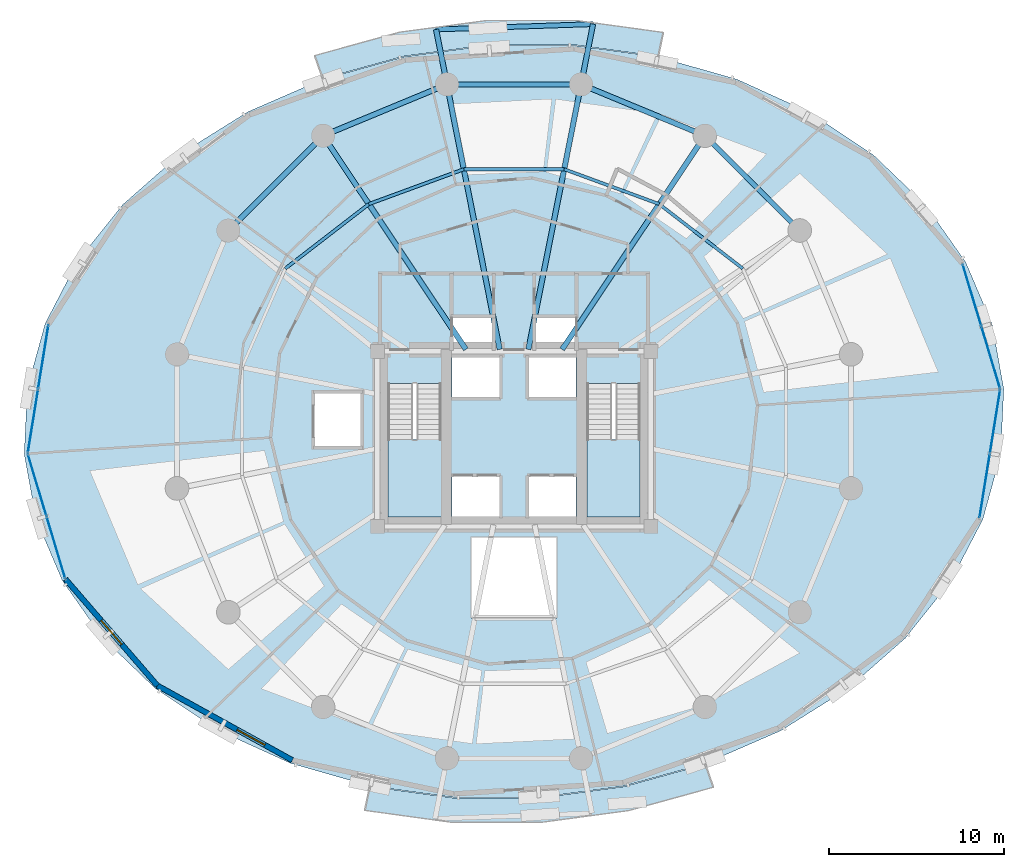
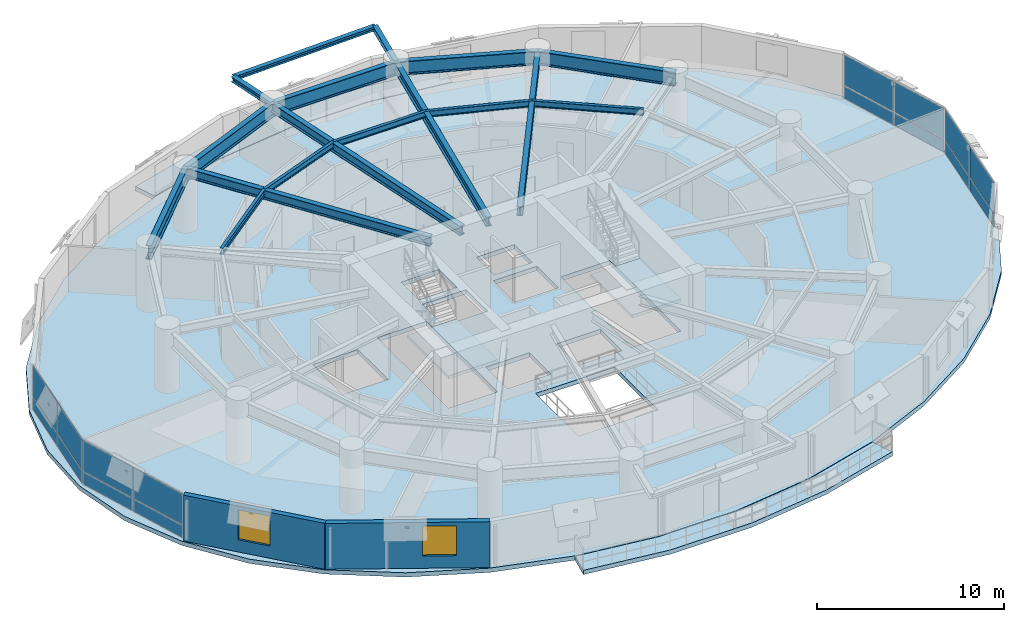
# One storey, part 9 of 16: 17 beams, 16 plates, 5 slabs, 2 walls, 2 windows, 2 openings, 6 elements without a shape of their own.
"""IFC4 building model written with IfcOpenShell, lengths in metres."""

from ifc_helpers import new_model, si_unit, direction, frame, frame_2d, origin, origin_2d, place, context, subcontext, project, spatial, polyline, rectangle, i_section, outline, extrude, material, layer, layer_set, material_profile, profile_set, type_object, element, fill, aggregate, save


model = new_model("IFC4")

# Units and contexts
model_context = context("Model", 3, precision=1e-05, world=origin(), true_north=direction((0.0, 1.0)))
body_context = subcontext(model_context, "Body", "Model", "MODEL_VIEW")
ifc_project = project(units=[si_unit("LENGTHUNIT", "METRE"), si_unit("AREAUNIT", "SQUARE_METRE"), si_unit("VOLUMEUNIT", "CUBIC_METRE"), si_unit("PLANEANGLEUNIT", "RADIAN"), si_unit("MASSUNIT", "GRAM", prefix="KILO"), si_unit("THERMODYNAMICTEMPERATUREUNIT", "KELVIN"), si_unit("POWERUNIT", "WATT")], contexts=[model_context])

# Site, building, storey
site_placement = place(None, origin())
site = spatial("IfcSite", under=ifc_project, at=site_placement, CompositionType="ELEMENT")
building_placement = place(site_placement, origin())
building = spatial("IfcBuilding", under=site, at=building_placement, Name="Ocrelia Relay Tower", CompositionType="ELEMENT")
storey_placement = place(building_placement, frame((0.0, 0.0, 46.800048828125)))
storey = spatial("IfcBuildingStorey", under=building, at=storey_placement, Name="L10", CompositionType="ELEMENT", Elevation=46.800048828125)

# Beams
ifc_material_1 = material(Name="Steel S355", Category="steel")
ifc_material_profile_1 = material_profile(ifc_material_1, i_section(OverallWidth=0.280029296875, OverallDepth=0.27001953125, WebThickness=0.008056640625, FlangeThickness=0.012939453125, FilletRadius=0.02392578125, at=origin_2d()), Name="HEA 280")
ifc_profile_set_1 = profile_set([ifc_material_profile_1], Name="Steel S355")
beam_type_1 = type_object("IfcBeamType", Name="BM-HEA280", PredefinedType="BEAM", material=ifc_profile_set_1)
beam_1_placement = place(storey_placement, frame((38.5078125, 48.66259765625, 3.784912109375), z_axis=(-0.999422643132, -0.033976173932, 0.0), x_axis=(0.033976173932, -0.999422643132, 0.0)))
element("IfcBeam", 1, at=beam_1_placement, inside=storey, type_object=beam_type_1, Name="L11 Balcony Edge Trimmer Beam B1", PredefinedType="BEAM", context=body_context, shape_type="SweptSolid", body=[
    extrude(i_section(OverallWidth=0.280029296875, OverallDepth=0.27001953125, WebThickness=0.008056640625, FlangeThickness=0.012939453125, FilletRadius=0.02392578125, at=origin_2d()), origin(), (0.0, 0.0, 1.0), 8.96044921875),
])
ifc_material_profile_2 = material_profile(ifc_material_1, i_section(OverallWidth=0.300048828125, OverallDepth=0.330078125, WebThickness=0.009521484375, FlangeThickness=0.0166015625, FilletRadius=0.027099609375, at=origin_2d()), Name="HEA 340")
ifc_profile_set_2 = profile_set([ifc_material_profile_2], Name="Steel S355")
beam_type_2 = type_object("IfcBeamType", Name="BM-HEA340", PredefinedType="BEAM", material=ifc_profile_set_2)
beam_2_placement = place(storey_placement, frame((37.82373046875, 45.223388671875, 3.7548828125), z_axis=(0.195085063293, 0.980786326414, 0.0), x_axis=(-0.980786326414, 0.195085063293, 0.0)))
element("IfcBeam", 2, at=beam_2_placement, inside=storey, type_object=beam_type_2, Name="L11 Balcony Cantilever Beam B1-1", PredefinedType="BEAM", context=body_context, shape_type="SweptSolid", body=[
    extrude(i_section(OverallWidth=0.300048828125, OverallDepth=0.330078125, WebThickness=0.009521484375, FlangeThickness=0.0166015625, FilletRadius=0.027099609375, at=origin_2d()), origin(), (0.0, 0.0, 1.0), 3.506591796875),
])
beam_3_placement = place(storey_placement, frame((30.17626953125, 45.223388671875, 3.7548828125), z_axis=(-0.195161241574, 0.980771170961, 0.0), x_axis=(-0.980771170961, -0.195161241574, 0.0)))
element("IfcBeam", 3, at=beam_3_placement, inside=storey, type_object=beam_type_2, Name="L11 Balcony Cantilever Beam B1-2", PredefinedType="BEAM", context=body_context, shape_type="SweptSolid", body=[
    extrude(i_section(OverallWidth=0.300048828125, OverallDepth=0.330078125, WebThickness=0.009521484375, FlangeThickness=0.0166015625, FilletRadius=0.027099609375, at=origin_2d()), origin(), (0.0, 0.0, 1.0), 3.1962890625),
])
ifc_material_profile_3 = material_profile(ifc_material_1, i_section(OverallWidth=0.300048828125, OverallDepth=0.60009765625, WebThickness=0.015380859375, FlangeThickness=0.030029296875, FilletRadius=0.027099609375, at=origin_2d()), Name="HEB 600")
ifc_profile_set_3 = profile_set([ifc_material_profile_3], Name="Steel S355")
beam_type_3 = type_object("IfcBeamType", Name="BM-HEB600", PredefinedType="BEAM", material=ifc_profile_set_3)
beam_4_placement = place(storey_placement, frame((44.88916015625, 42.296875, 3.619873046875), z_axis=(-0.555564422059, -0.831473495033, 0.0), x_axis=(0.831473495033, -0.555564422059, 0.0)))
element("IfcBeam", 4, at=beam_4_placement, inside=storey, type_object=beam_type_3, Name="L10 Radial Floor Girder R03", PredefinedType="BEAM", context=body_context, shape_type="SweptSolid", body=[
    extrude(i_section(OverallWidth=0.300048828125, OverallDepth=0.60009765625, WebThickness=0.015380859375, FlangeThickness=0.030029296875, FilletRadius=0.027099609375, at=origin_2d()), origin(), (0.0, 0.0, 1.0), 14.6630859375),
])
for number, where, z_axis, x_axis, name in (
    (5, (37.82373046875, 45.223388671875, 3.619873046875), (-0.19509567956, -0.980784214706, 0.0), (0.980784214706, -0.19509567956, 0.0), "L10 Radial Floor Girder R04"),
    (6, (30.17626953125, 45.223388671875, 3.619873046875), (0.19509567956, -0.980784214706, 0.0), (0.980784214706, 0.19509567956, 0.0), "L10 Radial Floor Girder R05"),
):
    element("IfcBeam", number, at=place(storey_placement, frame(where, z_axis=z_axis, x_axis=x_axis)), inside=storey, type_object=beam_type_3, Name=name, PredefinedType="BEAM", context=body_context, shape_type="SweptSolid", body=[
        extrude(i_section(OverallWidth=0.300048828125, OverallDepth=0.60009765625, WebThickness=0.015380859375, FlangeThickness=0.030029296875, FilletRadius=0.027099609375, at=origin_2d()), origin(), (0.0, 0.0, 1.0), 15.41455078125),
    ])
beam_5_placement = place(storey_placement, frame((23.11083984375, 42.296875, 3.619873046875), z_axis=(0.555564422059, -0.831473495033, 0.0), x_axis=(0.831473495033, 0.555564422059, 0.0)))
element("IfcBeam", 7, at=beam_5_placement, inside=storey, type_object=beam_type_3, Name="L10 Radial Floor Girder R06", PredefinedType="BEAM", context=body_context, shape_type="SweptSolid", body=[
    extrude(i_section(OverallWidth=0.300048828125, OverallDepth=0.60009765625, WebThickness=0.015380859375, FlangeThickness=0.030029296875, FilletRadius=0.027099609375, at=origin_2d()), origin(), (0.0, 0.0, 1.0), 14.6630859375),
])
ifc_material_profile_4 = material_profile(ifc_material_1, i_section(OverallWidth=0.300048828125, OverallDepth=0.89990234375, WebThickness=0.0185546875, FlangeThickness=0.034912109375, FilletRadius=0.030029296875, at=origin_2d()), Name="HEB 900")
ifc_profile_set_4 = profile_set([ifc_material_profile_4], Name="Steel S355")
beam_type_4 = type_object("IfcBeamType", Name="BM-HEB900", PredefinedType="BEAM", material=ifc_profile_set_4)
beam_6_placement = place(storey_placement, frame((50.296875, 36.88916015625, 3.469970703125), z_axis=(-0.707106781187, 0.707106781187, 0.0), x_axis=(-0.707106781187, -0.707106781187, 0.0)))
element("IfcBeam", 8, at=beam_6_placement, inside=storey, type_object=beam_type_4, Name="L10 Perimeter Spandrel Beam S02", PredefinedType="BEAM", context=body_context, shape_type="SweptSolid", body=[
    extrude(i_section(OverallWidth=0.300048828125, OverallDepth=0.89990234375, WebThickness=0.0185546875, FlangeThickness=0.034912109375, FilletRadius=0.030029296875, at=origin_2d()), origin(), (0.0, 0.0, 1.0), 7.647705078125),
])
for number, where, z_axis, x_axis, name in (
    (9, (44.88916015625, 42.296875, 3.469970703125), (-0.923883375589, 0.382674154222, 0.0), (-0.382674154222, -0.923883375589, 0.0), "L10 Perimeter Spandrel Beam S03"),
    (10, (37.82373046875, 45.223388671875, 3.469970703125), (-1.0, 0.0, 0.0), (0.0, -1.0, 0.0), "L10 Perimeter Spandrel Beam S04"),
    (11, (30.17626953125, 45.223388671875, 3.469970703125), (-0.923883375589, -0.382674154222, 0.0), (0.382674154222, -0.923883375589, 0.0), "L10 Perimeter Spandrel Beam S05"),
):
    element("IfcBeam", number, at=place(storey_placement, frame(where, z_axis=z_axis, x_axis=x_axis)), inside=storey, type_object=beam_type_4, Name=name, PredefinedType="BEAM", context=body_context, shape_type="SweptSolid", body=[
        extrude(i_section(OverallWidth=0.300048828125, OverallDepth=0.89990234375, WebThickness=0.0185546875, FlangeThickness=0.034912109375, FilletRadius=0.030029296875, at=origin_2d()), origin(), (0.0, 0.0, 1.0), 7.6474609375),
    ])
beam_7_placement = place(storey_placement, frame((23.11083984375, 42.296875, 3.469970703125), z_axis=(-0.707106781187, -0.707106781187, 0.0), x_axis=(0.707106781187, -0.707106781187, 0.0)))
element("IfcBeam", 12, at=beam_7_placement, inside=storey, type_object=beam_type_4, Name="L10 Perimeter Spandrel Beam S06", PredefinedType="BEAM", context=body_context, shape_type="SweptSolid", body=[
    extrude(i_section(OverallWidth=0.300048828125, OverallDepth=0.89990234375, WebThickness=0.0185546875, FlangeThickness=0.034912109375, FilletRadius=0.030029296875, at=origin_2d()), origin(), (0.0, 0.0, 1.0), 7.647705078125),
])
ifc_material_profile_5 = material_profile(ifc_material_1, i_section(OverallWidth=0.179931640625, OverallDepth=0.39990234375, WebThickness=0.008544921875, FlangeThickness=0.013427734375, FilletRadius=0.02099609375, at=origin_2d()), Name="IPE 400")
ifc_profile_set_5 = profile_set([ifc_material_profile_5], Name="Steel S355")
beam_type_5 = type_object("IfcBeamType", Name="BM-IPE400", PredefinedType="JOIST", material=ifc_profile_set_5)
beam_8_placement = place(storey_placement, frame((47.0478515625, 34.71826171875, 3.719970703125), z_axis=(-0.791694256239, 0.610917510502, 0.0), x_axis=(-0.610917510502, -0.791694256239, 0.0)))
element("IfcBeam", 13, at=beam_8_placement, inside=storey, type_object=beam_type_5, Name="L10 Secondary Floor Joist J02", PredefinedType="JOIST", context=body_context, shape_type="SweptSolid", body=[
    extrude(i_section(OverallWidth=0.179931640625, OverallDepth=0.39990234375, WebThickness=0.008544921875, FlangeThickness=0.013427734375, FilletRadius=0.02099609375, at=origin_2d()), origin(), (0.0, 0.0, 1.0), 6.019287109375),
])
beam_9_placement = place(storey_placement, frame((42.282470703125, 38.3955078125, 3.719970703125), z_axis=(-0.938745977034, 0.344609910773, 0.0), x_axis=(-0.344609910773, -0.938745977034, 0.0)))
element("IfcBeam", 14, at=beam_9_placement, inside=storey, type_object=beam_type_5, Name="L10 Secondary Floor Joist J03", PredefinedType="JOIST", context=body_context, shape_type="SweptSolid", body=[
    extrude(i_section(OverallWidth=0.179931640625, OverallDepth=0.39990234375, WebThickness=0.008544921875, FlangeThickness=0.013427734375, FilletRadius=0.02099609375, at=origin_2d()), origin(), (0.0, 0.0, 1.0), 5.774658203125),
])
beam_10_placement = place(storey_placement, frame((36.861572265625, 40.385498046875, 3.719970703125), z_axis=(-1.0, 0.0, 0.0), x_axis=(0.0, -1.0, 0.0)))
element("IfcBeam", 15, at=beam_10_placement, inside=storey, type_object=beam_type_5, Name="L10 Secondary Floor Joist J04", PredefinedType="JOIST", context=body_context, shape_type="SweptSolid", body=[
    extrude(i_section(OverallWidth=0.179931640625, OverallDepth=0.39990234375, WebThickness=0.008544921875, FlangeThickness=0.013427734375, FilletRadius=0.02099609375, at=origin_2d()), origin(), (0.0, 0.0, 1.0), 5.72314453125),
])
beam_11_placement = place(storey_placement, frame((31.138427734375, 40.385498046875, 3.719970703125), z_axis=(-0.938745977034, -0.344609910773, 0.0), x_axis=(0.344609910773, -0.938745977034, 0.0)))
element("IfcBeam", 16, at=beam_11_placement, inside=storey, type_object=beam_type_5, Name="L10 Secondary Floor Joist J05", PredefinedType="JOIST", context=body_context, shape_type="SweptSolid", body=[
    extrude(i_section(OverallWidth=0.179931640625, OverallDepth=0.39990234375, WebThickness=0.008544921875, FlangeThickness=0.013427734375, FilletRadius=0.02099609375, at=origin_2d()), origin(), (0.0, 0.0, 1.0), 5.774658203125),
])
beam_12_placement = place(storey_placement, frame((25.717529296875, 38.3955078125, 3.719970703125), z_axis=(-0.791694256239, -0.610917510502, 0.0), x_axis=(0.610917510502, -0.791694256239, 0.0)))
element("IfcBeam", 17, at=beam_12_placement, inside=storey, type_object=beam_type_5, Name="L10 Secondary Floor Joist J06", PredefinedType="JOIST", context=body_context, shape_type="SweptSolid", body=[
    extrude(i_section(OverallWidth=0.179931640625, OverallDepth=0.39990234375, WebThickness=0.008544921875, FlangeThickness=0.013427734375, FilletRadius=0.02099609375, at=origin_2d()), origin(), (0.0, 0.0, 1.0), 6.019287109375),
])

# Curtain wall, plates
ifc_material_2 = material(Name="Aluminium and solar-control low-E glass", Category="aluminium")
ifc_layer_1 = layer(ifc_material_2, 0.179931640625, Name="Aluminium and solar-control low-E glass")
ifc_layer_set_1 = layer_set([ifc_layer_1], Name="Aluminium and solar-control low-E glass")
curtain_wall_type = type_object("IfcCurtainWallType", Name="CW-SYS-Z1-DATA", PredefinedType="NOTDEFINED", material=ifc_layer_set_1)
curtain_wall_1_placement = place(storey_placement, origin())
curtain_wall_1 = element("IfcCurtainWall", 18, at=curtain_wall_1_placement, inside=storey, type_object=curtain_wall_type, Name="L10 Elliptical Tower Curtain Wall Bay 01", PredefinedType="NOTDEFINED")
ifc_material_3 = material(Name="Clear double-glazed low-E glass", Category="glass")
ifc_layer_2 = layer(ifc_material_3, 0.031982421875, Name="Clear double-glazed low-E glass")
ifc_layer_set_2 = layer_set([ifc_layer_2], Name="Clear double-glazed low-E glass")
plate_type = type_object("IfcPlateType", Name="CW-SYS-Z1-DATA-PNL", PredefinedType="CURTAIN_PANEL", material=ifc_layer_set_2)
plate_1_placement = place(storey_placement, frame((61.19482421875, 29.648681640625, 0.06494140625), z_axis=(0.0, 0.0, 1.0), x_axis=(-0.288370026457, 0.957519048291, 0.0)))
plate_1 = element("IfcPlate", 19, at=plate_1_placement, type_object=plate_type, Name="CW-Z1 panel 1.1", PredefinedType="CURTAIN_PANEL", context=body_context, shape_type="SweptSolid", body=[
    extrude(rectangle(XDim=3.6328125, YDim=0.031982421875, at=origin_2d()), origin(), (0.0, 0.0, 1.0), 0.802490234375),
])
plate_2_placement = place(storey_placement, frame((61.19482421875, 29.648681640625, 0.932373046875), z_axis=(0.0, 0.0, 1.0), x_axis=(-0.288370026457, 0.957519048291, 0.0)))
plate_2 = element("IfcPlate", 20, at=plate_2_placement, type_object=plate_type, Name="CW-Z1 panel 1.2", PredefinedType="CURTAIN_PANEL", context=body_context, shape_type="SweptSolid", body=[
    extrude(rectangle(XDim=3.6328125, YDim=0.031982421875, at=origin_2d()), origin(), (0.0, 0.0, 1.0), 2.00244140625),
])
plate_3_placement = place(storey_placement, frame((60.127197265625, 33.194091796875, 0.06494140625), z_axis=(0.0, 0.0, 1.0), x_axis=(-0.288370026457, 0.957519048291, 0.0)))
plate_3 = element("IfcPlate", 21, at=plate_3_placement, type_object=plate_type, Name="CW-Z1 panel 2.1", PredefinedType="CURTAIN_PANEL", context=body_context, shape_type="SweptSolid", body=[
    extrude(rectangle(XDim=3.6328125, YDim=0.031982421875, at=origin_2d()), origin(), (0.0, 0.0, 1.0), 0.802490234375),
])
plate_4_placement = place(storey_placement, frame((60.127197265625, 33.194091796875, 0.932373046875), z_axis=(0.0, 0.0, 1.0), x_axis=(-0.288370026457, 0.957519048291, 0.0)))
plate_4 = element("IfcPlate", 22, at=plate_4_placement, type_object=plate_type, Name="CW-Z1 panel 2.2", PredefinedType="CURTAIN_PANEL", context=body_context, shape_type="SweptSolid", body=[
    extrude(rectangle(XDim=3.6328125, YDim=0.031982421875, at=origin_2d()), origin(), (0.0, 0.0, 1.0), 2.00244140625),
])
aggregate(curtain_wall_1, [plate_1, plate_2, plate_3, plate_4])

curtain_wall_2_placement = place(storey_placement, origin())
curtain_wall_2 = element("IfcCurtainWall", 23, at=curtain_wall_2_placement, inside=storey, type_object=curtain_wall_type, Name="L10 Elliptical Tower Curtain Wall Bay 09", PredefinedType="NOTDEFINED")
plate_5_placement = place(storey_placement, frame((7.15087890625, 29.67529296875, 0.06494140625), z_axis=(0.0, 0.0, 1.0), x_axis=(-0.159201315878, -0.987246140039, 0.0)))
plate_5 = element("IfcPlate", 24, at=plate_5_placement, type_object=plate_type, Name="CW-Z1 panel 1.1", PredefinedType="CURTAIN_PANEL", context=body_context, shape_type="SweptSolid", body=[
    extrude(rectangle(XDim=3.6328125, YDim=0.031982421875, at=origin_2d()), origin(), (0.0, 0.0, 1.0), 0.802490234375),
])
plate_6_placement = place(storey_placement, frame((7.15087890625, 29.67529296875, 0.932373046875), z_axis=(0.0, 0.0, 1.0), x_axis=(-0.159201315878, -0.987246140039, 0.0)))
plate_6 = element("IfcPlate", 25, at=plate_6_placement, type_object=plate_type, Name="CW-Z1 panel 1.2", PredefinedType="CURTAIN_PANEL", context=body_context, shape_type="SweptSolid", body=[
    extrude(rectangle(XDim=3.6328125, YDim=0.031982421875, at=origin_2d()), origin(), (0.0, 0.0, 1.0), 2.00244140625),
])
plate_7_placement = place(storey_placement, frame((6.5615234375, 26.02001953125, 0.06494140625), z_axis=(0.0, 0.0, 1.0), x_axis=(-0.159201315878, -0.987246140039, 0.0)))
plate_7 = element("IfcPlate", 26, at=plate_7_placement, type_object=plate_type, Name="CW-Z1 panel 2.1", PredefinedType="CURTAIN_PANEL", context=body_context, shape_type="SweptSolid", body=[
    extrude(rectangle(XDim=3.6328125, YDim=0.031982421875, at=origin_2d()), origin(), (0.0, 0.0, 1.0), 0.802490234375),
])
plate_8_placement = place(storey_placement, frame((6.5615234375, 26.02001953125, 0.932373046875), z_axis=(0.0, 0.0, 1.0), x_axis=(-0.159201315878, -0.987246140039, 0.0)))
plate_8 = element("IfcPlate", 27, at=plate_8_placement, type_object=plate_type, Name="CW-Z1 panel 2.2", PredefinedType="CURTAIN_PANEL", context=body_context, shape_type="SweptSolid", body=[
    extrude(rectangle(XDim=3.6328125, YDim=0.031982421875, at=origin_2d()), origin(), (0.0, 0.0, 1.0), 2.00244140625),
])
aggregate(curtain_wall_2, [plate_5, plate_6, plate_7, plate_8])

curtain_wall_3_placement = place(storey_placement, origin())
curtain_wall_3 = element("IfcCurtainWall", 28, at=curtain_wall_3_placement, inside=storey, type_object=curtain_wall_type, Name="L10 Elliptical Tower Curtain Wall Bay 10", PredefinedType="NOTDEFINED")
plate_9_placement = place(storey_placement, frame((6.80517578125, 22.351318359375, 0.06494140625), z_axis=(0.0, 0.0, 1.0), x_axis=(0.288370026457, -0.957519048291, 0.0)))
plate_9 = element("IfcPlate", 29, at=plate_9_placement, type_object=plate_type, Name="CW-Z1 panel 1.1", PredefinedType="CURTAIN_PANEL", context=body_context, shape_type="SweptSolid", body=[
    extrude(rectangle(XDim=3.6328125, YDim=0.031982421875, at=origin_2d()), origin(), (0.0, 0.0, 1.0), 0.802490234375),
])
plate_10_placement = place(storey_placement, frame((6.80517578125, 22.351318359375, 0.932373046875), z_axis=(0.0, 0.0, 1.0), x_axis=(0.288370026457, -0.957519048291, 0.0)))
plate_10 = element("IfcPlate", 30, at=plate_10_placement, type_object=plate_type, Name="CW-Z1 panel 1.2", PredefinedType="CURTAIN_PANEL", context=body_context, shape_type="SweptSolid", body=[
    extrude(rectangle(XDim=3.6328125, YDim=0.031982421875, at=origin_2d()), origin(), (0.0, 0.0, 1.0), 2.00244140625),
])
plate_11_placement = place(storey_placement, frame((7.872802734375, 18.805908203125, 0.06494140625), z_axis=(0.0, 0.0, 1.0), x_axis=(0.288370026457, -0.957519048291, 0.0)))
plate_11 = element("IfcPlate", 31, at=plate_11_placement, type_object=plate_type, Name="CW-Z1 panel 2.1", PredefinedType="CURTAIN_PANEL", context=body_context, shape_type="SweptSolid", body=[
    extrude(rectangle(XDim=3.6328125, YDim=0.031982421875, at=origin_2d()), origin(), (0.0, 0.0, 1.0), 0.802490234375),
])
plate_12_placement = place(storey_placement, frame((7.872802734375, 18.805908203125, 0.932373046875), z_axis=(0.0, 0.0, 1.0), x_axis=(0.288370026457, -0.957519048291, 0.0)))
plate_12 = element("IfcPlate", 32, at=plate_12_placement, type_object=plate_type, Name="CW-Z1 panel 2.2", PredefinedType="CURTAIN_PANEL", context=body_context, shape_type="SweptSolid", body=[
    extrude(rectangle(XDim=3.6328125, YDim=0.031982421875, at=origin_2d()), origin(), (0.0, 0.0, 1.0), 2.00244140625),
])
aggregate(curtain_wall_3, [plate_9, plate_10, plate_11, plate_12])

curtain_wall_4_placement = place(storey_placement, origin())
curtain_wall_4 = element("IfcCurtainWall", 33, at=curtain_wall_4_placement, inside=storey, type_object=curtain_wall_type, Name="L10 Elliptical Tower Curtain Wall Bay 18", PredefinedType="NOTDEFINED")
plate_13_placement = place(storey_placement, frame((60.84912109375, 22.32470703125, 0.06494140625), z_axis=(0.0, 0.0, 1.0), x_axis=(0.159201315878, 0.987246140039, 0.0)))
plate_13 = element("IfcPlate", 34, at=plate_13_placement, type_object=plate_type, Name="CW-Z1 panel 1.1", PredefinedType="CURTAIN_PANEL", context=body_context, shape_type="SweptSolid", body=[
    extrude(rectangle(XDim=3.6328125, YDim=0.031982421875, at=origin_2d()), origin(), (0.0, 0.0, 1.0), 0.802490234375),
])
plate_14_placement = place(storey_placement, frame((60.84912109375, 22.32470703125, 0.932373046875), z_axis=(0.0, 0.0, 1.0), x_axis=(0.159201315878, 0.987246140039, 0.0)))
plate_14 = element("IfcPlate", 35, at=plate_14_placement, type_object=plate_type, Name="CW-Z1 panel 1.2", PredefinedType="CURTAIN_PANEL", context=body_context, shape_type="SweptSolid", body=[
    extrude(rectangle(XDim=3.6328125, YDim=0.031982421875, at=origin_2d()), origin(), (0.0, 0.0, 1.0), 2.00244140625),
])
plate_15_placement = place(storey_placement, frame((61.4384765625, 25.97998046875, 0.06494140625), z_axis=(0.0, 0.0, 1.0), x_axis=(0.159201315878, 0.987246140039, 0.0)))
plate_15 = element("IfcPlate", 36, at=plate_15_placement, type_object=plate_type, Name="CW-Z1 panel 2.1", PredefinedType="CURTAIN_PANEL", context=body_context, shape_type="SweptSolid", body=[
    extrude(rectangle(XDim=3.6328125, YDim=0.031982421875, at=origin_2d()), origin(), (0.0, 0.0, 1.0), 0.802490234375),
])
plate_16_placement = place(storey_placement, frame((61.4384765625, 25.97998046875, 0.932373046875), z_axis=(0.0, 0.0, 1.0), x_axis=(0.159201315878, 0.987246140039, 0.0)))
plate_16 = element("IfcPlate", 37, at=plate_16_placement, type_object=plate_type, Name="CW-Z1 panel 2.2", PredefinedType="CURTAIN_PANEL", context=body_context, shape_type="SweptSolid", body=[
    extrude(rectangle(XDim=3.6328125, YDim=0.031982421875, at=origin_2d()), origin(), (0.0, 0.0, 1.0), 2.00244140625),
])
aggregate(curtain_wall_4, [plate_13, plate_14, plate_15, plate_16])

# Slabs
ifc_material_4 = material(Name="Precast concrete C40/50", Category="concrete")
ifc_layer_3 = layer(ifc_material_4, 0.280029296875, Name="Precast concrete C40/50")
ifc_layer_set_3 = layer_set([ifc_layer_3], Name="Precast concrete C40/50")
slab_type_1 = type_object("IfcSlabType", Name="SL-BALC-280", PredefinedType="FLOOR", material=ifc_layer_set_3)
slab_1_placement = place(storey_placement, frame((0.0, 0.0, -0.280029296875)))
element("IfcSlab", 38, at=slab_1_placement, inside=storey, type_object=slab_type_1, Name="L10 Planted Loggia Balcony B1", PredefinedType="FLOOR", context=body_context, shape_type="SweptSolid", body=[
    extrude(outline(polyline([(42.222900390625, 46.822998046875), (39.836669921875, 47.15087890625), (37.4501953125, 47.47900390625), (32.572998046875, 47.482666015625), (27.7392578125, 46.833984375), (25.41748046875, 46.193359375), (23.095458984375, 45.552734375), (22.631103515625, 46.866455078125), (25.0458984375, 47.53271484375), (27.460693359375, 48.19921875), (32.480712890625, 48.872802734375), (37.5458984375, 48.868896484375), (40.027587890625, 48.52783203125), (42.50927734375, 48.186767578125), (42.222900390625, 46.822998046875)])), origin(), (0.0, 0.0, 1.0), 0.280029296875),
])
slab_2_placement = place(storey_placement, frame((0.0, 0.0, -0.280029296875)))
element("IfcSlab", 39, at=slab_2_placement, inside=storey, type_object=slab_type_1, Name="L10 Planted Loggia Balcony B2", PredefinedType="FLOOR", context=body_context, shape_type="SweptSolid", body=[
    extrude(outline(polyline([(25.777099609375, 5.177001953125), (28.16357421875, 4.84912109375), (30.5498046875, 4.52099609375), (35.427001953125, 4.517333984375), (40.2607421875, 5.166015625), (42.58251953125, 5.806640625), (44.904541015625, 6.447265625), (45.368896484375, 5.133544921875), (42.9541015625, 4.46728515625), (40.539306640625, 3.80078125), (35.519287109375, 3.127197265625), (30.4541015625, 3.131103515625), (27.972412109375, 3.47216796875), (25.49072265625, 3.813232421875), (25.777099609375, 5.177001953125)])), origin(), (0.0, 0.0, 1.0), 0.280029296875),
])
ifc_material_5 = material(Name="Concrete C50/60", Category="concrete")
ifc_layer_4 = layer(ifc_material_5, 0.280029296875, Name="Concrete C50/60")
ifc_layer_set_4 = layer_set([ifc_layer_4], Name="Concrete C50/60")
slab_type_2 = type_object("IfcSlabType", Name="SL-FLR-280", PredefinedType="FLOOR", material=ifc_layer_set_4)
slab_3_placement = place(storey_placement, frame((0.0, 0.0, -0.280029296875)))
element("IfcSlab", 40, at=slab_3_placement, inside=storey, type_object=slab_type_2, Name="L10 Elliptical Tower Floor Slab", PredefinedType="FLOOR", context=body_context, shape_type="SweptSolid", body=[
    extrude(outline(polyline([(61.9384765625, 27.855712890625), (61.2666015625, 31.552734375), (59.76611328125, 35.0810546875), (57.48291015625, 38.33349609375), (54.486083984375, 41.211181640625), (50.866943359375, 43.62646484375), (46.735107421875, 45.50634765625), (42.216552734375, 46.793701171875), (37.4482421875, 47.448974609375), (32.5751953125, 47.45263671875), (27.745361328125, 46.8046875), (23.10546875, 45.5244140625), (18.796875, 43.65087890625), (14.949951171875, 41.240966796875), (11.681884765625, 38.367919921875), (9.09228515625, 35.119384765625), (7.259033203125, 31.593505859375), (6.238525390625, 27.897705078125), (6.0615234375, 24.144287109375), (6.7333984375, 20.447265625), (8.23388671875, 16.9189453125), (10.51708984375, 13.66650390625), (13.513916015625, 10.788818359375), (17.133056640625, 8.37353515625), (21.264892578125, 6.49365234375), (25.783447265625, 5.206298828125), (30.5517578125, 4.551025390625), (35.4248046875, 4.54736328125), (40.254638671875, 5.1953125), (44.89453125, 6.4755859375), (49.203125, 8.34912109375), (53.050048828125, 10.759033203125), (56.318115234375, 13.632080078125), (58.90771484375, 16.880615234375), (60.740966796875, 20.406494140625), (61.761474609375, 24.102294921875), (61.9384765625, 27.855712890625)]), holes=[polyline([(26.81005859375, 28.14990234375), (26.81005859375, 20.550048828125), (29.85009765625, 20.550048828125), (29.85009765625, 28.14990234375), (26.81005859375, 28.14990234375)]), polyline([(38.159912109375, 28.14990234375), (38.159912109375, 20.550048828125), (41.199951171875, 20.550048828125), (41.199951171875, 28.14990234375), (38.159912109375, 28.14990234375)]), polyline([(30.4599609375, 20.550048828125), (33.159912109375, 20.550048828125), (33.159912109375, 22.85009765625), (30.4599609375, 22.85009765625), (30.4599609375, 20.550048828125)]), polyline([(34.840087890625, 20.550048828125), (37.5400390625, 20.550048828125), (37.5400390625, 22.85009765625), (34.840087890625, 22.85009765625), (34.840087890625, 20.550048828125)]), polyline([(30.4599609375, 27.35009765625), (33.159912109375, 27.35009765625), (33.159912109375, 29.64990234375), (30.4599609375, 29.64990234375), (30.4599609375, 27.35009765625)]), polyline([(34.840087890625, 27.35009765625), (37.5400390625, 27.35009765625), (37.5400390625, 29.64990234375), (34.840087890625, 29.64990234375), (34.840087890625, 27.35009765625)]), polyline([(30.5, 30.10009765625), (32.85009765625, 30.10009765625), (32.85009765625, 32.0), (30.5, 32.0), (30.5, 30.10009765625)]), polyline([(35.14990234375, 30.10009765625), (37.5, 30.10009765625), (37.5, 32.0), (35.14990234375, 32.0), (35.14990234375, 30.10009765625)]), polyline([(22.550048828125, 24.5), (25.35009765625, 24.5), (25.35009765625, 27.699951171875), (22.550048828125, 27.699951171875), (22.550048828125, 24.5)]), polyline([(31.550048828125, 14.800048828125), (36.449951171875, 14.800048828125), (36.449951171875, 19.39990234375), (31.550048828125, 19.39990234375), (31.550048828125, 14.800048828125)])]), origin(), (0.0, 0.0, 1.0), 0.280029296875),
])

# Stair, slab
stair_type = type_object("IfcStairType", Name="ST-DL-1420-R175", PredefinedType="HALF_TURN_STAIR", material=ifc_material_5)
stair_1_placement = place(storey_placement, origin())
stair_1 = element("IfcStair", 41, at=stair_1_placement, inside=storey, type_object=stair_type, Name="L10 West Core Exit Stair ST1", PredefinedType="HALF_TURN_STAIR")
ifc_layer_5 = layer(ifc_material_5, 0.199951171875, Name="Concrete C50/60")
ifc_layer_set_5 = layer_set([ifc_layer_5], Name="Concrete C50/60")
slab_type_3 = type_object("IfcSlabType", Name="SL-LANDING-200", PredefinedType="LANDING", material=ifc_layer_set_5)
slab_4_placement = place(storey_placement, frame((0.0, 0.0, 1.89990234375)))
slab_4 = element("IfcSlab", 42, at=slab_4_placement, type_object=slab_type_3, Name="ST1 landing 1", PredefinedType="LANDING", context=body_context, shape_type="SweptSolid", body=[
    extrude(outline(polyline([(26.81005859375, 24.9599609375), (26.81005859375, 20.550048828125), (29.85009765625, 20.550048828125), (29.85009765625, 24.9599609375), (26.81005859375, 24.9599609375)])), origin(), (0.0, 0.0, 1.0), 0.199951171875),
])
aggregate(stair_1, [slab_4])

stair_2_placement = place(storey_placement, origin())
stair_2 = element("IfcStair", 43, at=stair_2_placement, inside=storey, type_object=stair_type, Name="L10 East Core Exit Stair ST2", PredefinedType="HALF_TURN_STAIR")
slab_5_placement = place(storey_placement, frame((0.0, 0.0, 1.89990234375)))
slab_5 = element("IfcSlab", 44, at=slab_5_placement, type_object=slab_type_3, Name="ST2 landing 1", PredefinedType="LANDING", context=body_context, shape_type="SweptSolid", body=[
    extrude(outline(polyline([(38.159912109375, 24.9599609375), (38.159912109375, 20.550048828125), (41.199951171875, 20.550048828125), (41.199951171875, 24.9599609375), (38.159912109375, 24.9599609375)])), origin(), (0.0, 0.0, 1.0), 0.199951171875),
])
aggregate(stair_2, [slab_5])

# Wall, opening, window
ifc_material_6 = material(Name="Precast concrete C40/50 with oxide terracotta", Category="masonry")
ifc_layer_6 = layer(ifc_material_6, 0.300048828125, Name="Precast concrete C40/50 with oxide terracotta")
ifc_layer_set_6 = layer_set([ifc_layer_6], Name="Precast concrete C40/50 with oxide terracotta")
wall_type = type_object("IfcWallType", Name="W-EXT-TERR-300", PredefinedType="SOLIDWALL", material=ifc_layer_set_6)
wall_1_placement = place(storey_placement, frame((8.416748046875, 16.999755859375, 0.0), z_axis=(0.0, 0.0, 1.0), x_axis=(0.653421746462, -0.756994069495, 0.0)))
wall_1 = element("IfcWall", 45, at=wall_1_placement, inside=storey, type_object=wall_type, Name="L10 Oxide Terracotta Facade Wall 11", PredefinedType="SOLIDWALL", context=body_context, shape_type="SweptSolid", body=[
    extrude(rectangle(XDim=8.021484375, YDim=0.300048828125, at=frame_2d((4.0107421875, 0.0))), origin(), (0.0, 0.0, 1.0), 3.0),
])
opening_1_placement = place(wall_1_placement, frame((3.111083984375, 0.0, 0.800048828125)))
opening_1 = element("IfcOpeningElement", 46, at=opening_1_placement, cuts=wall_1, Name="Opening W-02", PredefinedType="OPENING", context=body_context, shape_type="SweptSolid", body=[
    extrude(rectangle(XDim=1.800048828125, YDim=1.949951171875, at=frame_2d((0.89990234375, 0.97509765625))), frame((0.0, 0.16015625, 0.0), z_axis=(0.0, -1.0, 0.0), x_axis=(1.0, 0.0, 0.0)), (0.0, 0.0, 1.0), 0.320068359375),
])
window_type = type_object("IfcWindowType", Name="WIN-Z1-1800x2100", PartitioningType="DOUBLE_PANEL_VERTICAL", PredefinedType="WINDOW", material=ifc_material_3)
window_1_placement = place(opening_1_placement, origin())
window_1 = element("IfcWindow", 47, at=window_1_placement, inside=storey, type_object=window_type, Name="L10 Facade Module Window 11", OverallHeight=1.949951171875, OverallWidth=1.800048828125, PartitioningType="SINGLE_PANEL", PredefinedType="WINDOW", context=body_context, shape_type="SweptSolid", body=[
    extrude(rectangle(XDim=1.800048828125, YDim=1.949951171875, at=frame_2d((0.89990234375, 0.97509765625))), frame((0.0, 0.030029296875, 0.0), z_axis=(0.0, -1.0, 0.0), x_axis=(1.0, 0.0, 0.0)), (0.0, 0.0, 1.0), 0.06005859375),
])
fill(opening_1, window_1)

wall_2_placement = place(storey_placement, frame((13.658203125, 10.927490234375, 0.0), z_axis=(0.0, 0.0, 1.0), x_axis=(0.875145624266, -0.48385962461, 0.0)))
wall_2 = element("IfcWall", 48, at=wall_2_placement, inside=storey, type_object=wall_type, Name="L10 Oxide Terracotta Facade Wall 12", PredefinedType="SOLIDWALL", context=body_context, shape_type="SweptSolid", body=[
    extrude(rectangle(XDim=8.792724609375, YDim=0.300048828125, at=frame_2d((4.396484375, 0.0))), origin(), (0.0, 0.0, 1.0), 3.0),
])
opening_2_placement = place(wall_2_placement, frame((5.201904296875, 0.0, 0.800048828125)))
opening_2 = element("IfcOpeningElement", 49, at=opening_2_placement, cuts=wall_2, Name="Opening W-02", PredefinedType="OPENING", context=body_context, shape_type="SweptSolid", body=[
    extrude(rectangle(XDim=1.800048828125, YDim=1.949951171875, at=frame_2d((0.89990234375, 0.97509765625))), frame((0.0, 0.16015625, 0.0), z_axis=(0.0, -1.0, 0.0), x_axis=(1.0, 0.0, 0.0)), (0.0, 0.0, 1.0), 0.320068359375),
])
window_2_placement = place(opening_2_placement, origin())
window_2 = element("IfcWindow", 50, at=window_2_placement, inside=storey, type_object=window_type, Name="L10 Facade Module Window 12", OverallHeight=1.949951171875, OverallWidth=1.800048828125, PartitioningType="SINGLE_PANEL", PredefinedType="WINDOW", context=body_context, shape_type="SweptSolid", body=[
    extrude(rectangle(XDim=1.800048828125, YDim=1.949951171875, at=frame_2d((0.89990234375, 0.97509765625))), frame((0.0, 0.030029296875, 0.0), z_axis=(0.0, -1.0, 0.0), x_axis=(1.0, 0.0, 0.0)), (0.0, 0.0, 1.0), 0.06005859375),
])
fill(opening_2, window_2)

save(model, "model.ifc")
